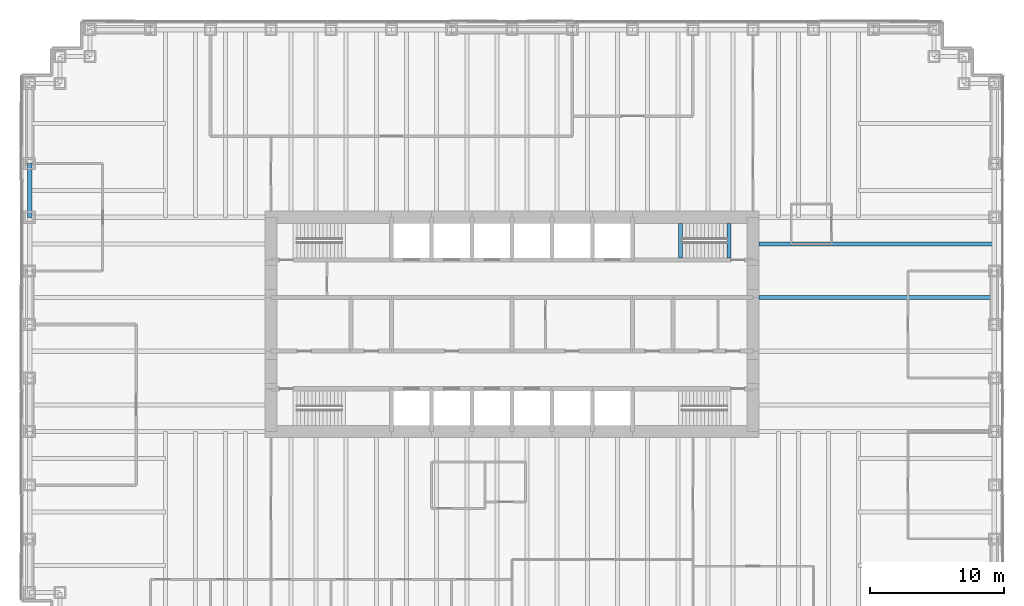
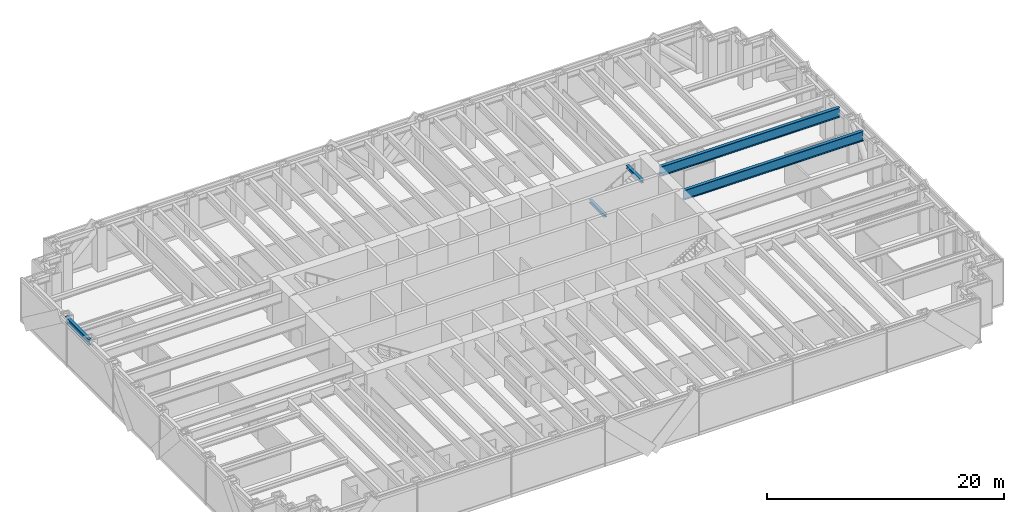
# One storey, part 4 of 13: 5 beams.
"""IFC4 building model written with IfcOpenShell, lengths in metres."""

from ifc_helpers import new_model, si_unit, direction, frame, origin, origin_2d, place, context, subcontext, project, spatial, i_section, extrude, material, material_profile, profile_set, type_object, element, save


model = new_model("IFC4")

# Units and contexts
model_context = context("Model", 3, precision=1e-05, world=origin(), true_north=direction((0.0, 1.0)))
body_context = subcontext(model_context, "Body", "Model", "MODEL_VIEW")
ifc_project = project(units=[si_unit("LENGTHUNIT", "METRE"), si_unit("AREAUNIT", "SQUARE_METRE"), si_unit("VOLUMEUNIT", "CUBIC_METRE"), si_unit("PLANEANGLEUNIT", "RADIAN"), si_unit("MASSUNIT", "GRAM", prefix="KILO")], contexts=[model_context])

# Site, building, storey
site_placement = place(None, origin())
site = spatial("IfcSite", under=ifc_project, at=site_placement, CompositionType="ELEMENT")
building_placement = place(site_placement, origin())
building = spatial("IfcBuilding", under=site, at=building_placement, Name="Rheinbord Bourse Tower", CompositionType="ELEMENT")
storey_placement = place(building_placement, frame((0.0, 0.0, 63.5)))
storey = spatial("IfcBuildingStorey", under=building, at=storey_placement, Name="L13", CompositionType="ELEMENT", Elevation=63.5)

# Beams
ifc_material_1 = material(Name="Steel S460", Category="steel")
ifc_material_profile_1 = material_profile(ifc_material_1, i_section(OverallWidth=0.302001953125, OverallDepth=1.008056640625, WebThickness=0.02099609375, FlangeThickness=0.0400390625, at=origin_2d()), Name="HEM 1000")
ifc_profile_set_1 = profile_set([ifc_material_profile_1], Name="Steel S460")
beam_type_1 = type_object("IfcBeamType", Name="END BEAM HEM 1000", PredefinedType="BEAM", material=ifc_profile_set_1)
for number, where, z_axis, x_axis, name in (
    (1, (54.449951171875, 26.0, 3.81591796875), (1.0, 0.0, 0.0), (0.0, 1.0, 0.0), "End beam east 26 L14"),
    (2, (54.449951171875, 30.0, 3.81591796875), (1.0, 0.0, 0.0), (0.0, 1.0, 0.0), "End beam east 30 L14"),
):
    element("IfcBeam", number, at=place(storey_placement, frame(where, z_axis=z_axis, x_axis=x_axis)), inside=storey, type_object=beam_type_1, Name=name, PredefinedType="BEAM", context=body_context, shape_type="SweptSolid", body=[
        extrude(i_section(OverallWidth=0.302001953125, OverallDepth=1.008056640625, WebThickness=0.02099609375, FlangeThickness=0.0400390625, at=origin_2d()), origin(), (0.0, 0.0, 1.0), 17.550048828125),
    ])
ifc_material_2 = material(Name="Steel S460", Category="steel")
ifc_material_profile_2 = material_profile(ifc_material_2, i_section(OverallWidth=0.300048828125, OverallDepth=0.300048828125, WebThickness=0.010986328125, FlangeThickness=0.01904296875, at=origin_2d()), Name="HEB 300")
ifc_profile_set_2 = profile_set([ifc_material_profile_2], Name="Steel S460")
beam_type_2 = type_object("IfcBeamType", Name="LANDING TRIMMER HEB 300", PredefinedType="BEAM", material=ifc_profile_set_2)
for number, where, z_axis, x_axis, name in (
    (3, (48.590087890625, 28.949951171875, 1.89990234375), (0.0, 1.0, 0.0), (-1.0, 0.0, 0.0), "Landing trimmer ST4 L13"),
    (4, (52.199951171875, 28.949951171875, 4.169921875), (0.0, 1.0, 0.0), (-1.0, 0.0, 0.0), "Well trimmer ST4 under L14"),
):
    element("IfcBeam", number, at=place(storey_placement, frame(where, z_axis=z_axis, x_axis=x_axis)), inside=storey, type_object=beam_type_2, Name=name, PredefinedType="BEAM", context=body_context, shape_type="SweptSolid", body=[
        extrude(i_section(OverallWidth=0.300048828125, OverallDepth=0.300048828125, WebThickness=0.010986328125, FlangeThickness=0.01904296875, at=origin_2d()), origin(), (0.0, 0.0, 1.0), 2.60009765625),
    ])
ifc_material_3 = material(Name="Steel S460", Category="steel")
ifc_material_profile_3 = material_profile(ifc_material_3, i_section(OverallWidth=0.304931640625, OverallDepth=0.6201171875, WebThickness=0.02099609375, FlangeThickness=0.0400390625, at=origin_2d()), Name="HEM 600")
ifc_profile_set_3 = profile_set([ifc_material_profile_3], Name="Steel S460")
beam_type_3 = type_object("IfcBeamType", Name="SPANDREL HEM 600", PredefinedType="SPANDREL", material=ifc_profile_set_3)
beam_placement = place(storey_placement, frame((0.0, 36.0, 4.010009765625), z_axis=(0.0, -1.0, 0.0), x_axis=(1.0, 0.0, 0.0)))
element("IfcBeam", 5, at=beam_placement, inside=storey, type_object=beam_type_3, Name="Spandrel W-36-W-32 under L14", PredefinedType="SPANDREL", context=body_context, shape_type="SweptSolid", body=[
    extrude(i_section(OverallWidth=0.304931640625, OverallDepth=0.6201171875, WebThickness=0.02099609375, FlangeThickness=0.0400390625, at=origin_2d()), origin(), (0.0, 0.0, 1.0), 4.0),
])

save(model, "model.ifc")
